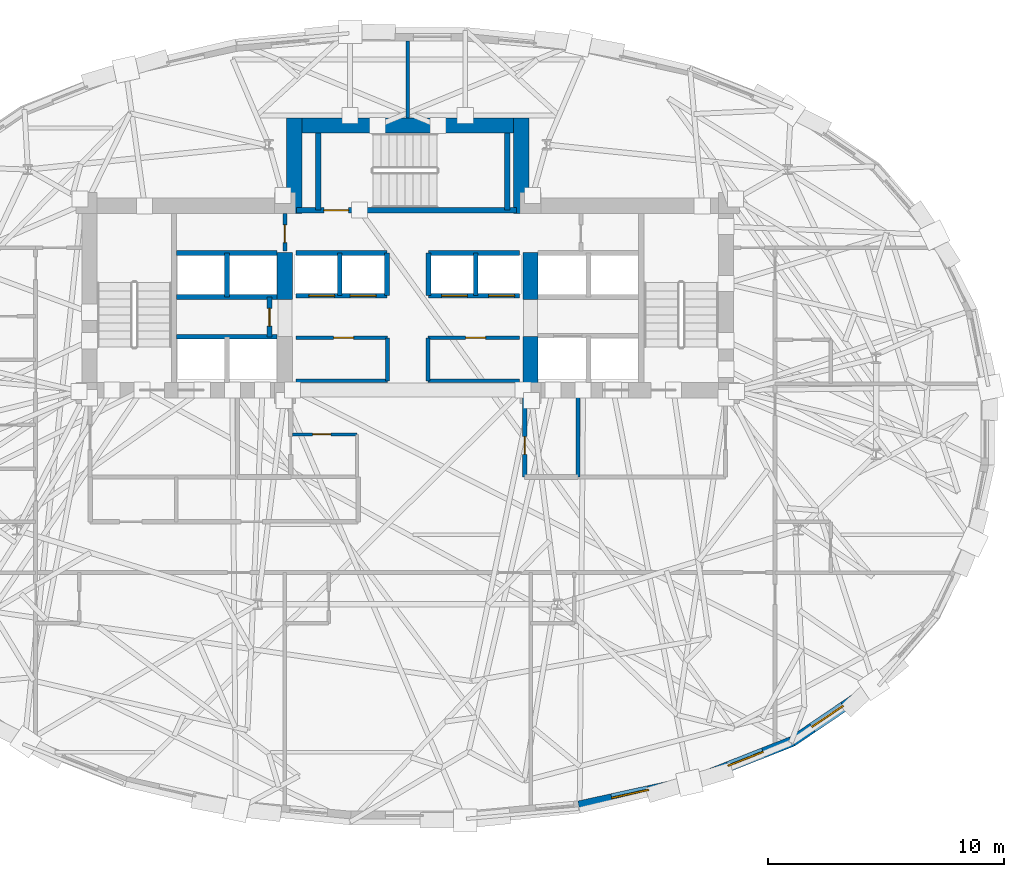
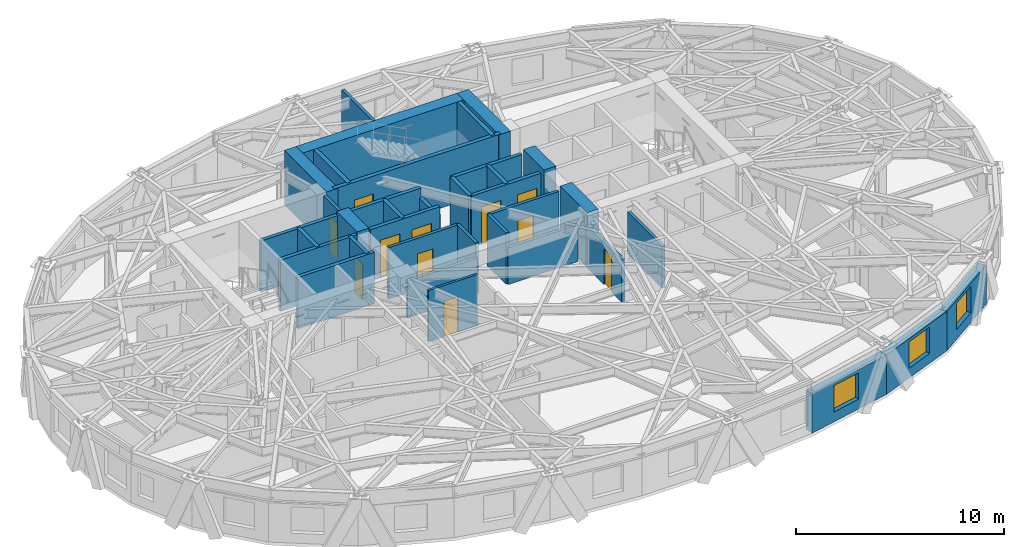
# One storey, part 8 of 14: 36 walls, 11 doors, 3 windows, 14 openings.
"""IFC4 building model written with IfcOpenShell, lengths in metres."""

from ifc_helpers import new_model, si_unit, direction, frame, frame_2d, origin, place, context, subcontext, project, spatial, rectangle, extrude, material, layer, layer_set, type_object, element, fill, save


model = new_model("IFC4")

# Units and contexts
model_context = context("Model", 3, precision=1e-05, world=origin(), true_north=direction((0.0, 1.0)))
body_context = subcontext(model_context, "Body", "Model", "MODEL_VIEW")
ifc_project = project(units=[si_unit("LENGTHUNIT", "METRE"), si_unit("AREAUNIT", "SQUARE_METRE"), si_unit("VOLUMEUNIT", "CUBIC_METRE"), si_unit("PLANEANGLEUNIT", "RADIAN"), si_unit("MASSUNIT", "GRAM", prefix="KILO")], contexts=[model_context])

# Site, building, storey
site_placement = place(None, origin())
site = spatial("IfcSite", under=ifc_project, at=site_placement, CompositionType="ELEMENT")
building_placement = place(site_placement, origin())
building = spatial("IfcBuilding", under=site, at=building_placement, Name="Keldmark Tower", CompositionType="ELEMENT")
storey_placement = place(building_placement, frame((0.0, 0.0, 153.39990234375)))
storey = spatial("IfcBuildingStorey", under=building, at=storey_placement, Name="L41", CompositionType="ELEMENT", Elevation=153.39990234375)

# Wall, opening, door
ifc_material_1 = material(Name="Acoustic Gypsum Board Interior Partition", Category="gypsum")
ifc_layer_1 = layer(ifc_material_1, 0.1298828125)
ifc_layer_set_1 = layer_set([ifc_layer_1], Name="Acoustic Gypsum Board Interior Partition")
wall_type_1 = type_object("IfcWallType", Name="Interior Partition 130 mm", PredefinedType="PARTITIONING", material=ifc_layer_set_1)
wall_1_placement = place(storey_placement, frame((-4.8798828125, -0.35009765625, 0.0), z_axis=(0.0, 0.0, 1.0), x_axis=(1.0, 0.0, 0.0)))
wall_1 = element("IfcWall", 1, at=wall_1_placement, inside=storey, type_object=wall_type_1, Name="L41 Interior Partition 130 mm CSC-W-N", PredefinedType="PARTITIONING", context=body_context, shape_type="SweptSolid", body=[
    extrude(rectangle(XDim=2.72998046875, YDim=0.1298828125, at=frame_2d((1.364990234375, 0.0))), origin(), (0.0, 0.0, 1.0), 3.02001953125),
])
opening_1_placement = place(wall_1_placement, frame((0.85009765625, 0.0, 0.0)))
opening_1 = element("IfcOpeningElement", 2, at=opening_1_placement, cuts=wall_1, Name="Opening D-CL078", PredefinedType="OPENING", context=body_context, shape_type="SweptSolid", body=[
    extrude(rectangle(XDim=0.780029296875, YDim=2.10009765625, at=frame_2d((0.39013671875, 1.050048828125))), frame((0.0, 0.074951171875, 0.0), z_axis=(0.0, -1.0, 0.0), x_axis=(1.0, 0.0, 0.0)), (0.0, 0.0, 1.0), 0.14990234375),
])
ifc_material_2 = material(Name="Flush Utility Closet Timber Door", Category="wood")
door_type_1 = type_object("IfcDoorType", Name="Closet Door 780x2100", OperationType="NOTDEFINED", PredefinedType="DOOR", material=ifc_material_2)
door_1_placement = place(opening_1_placement, origin())
door_1 = element("IfcDoor", 3, at=door_1_placement, inside=storey, type_object=door_type_1, Name="L41 Closet Door 780x2100 D-CSCW1-L41", OperationType="SINGLE_SWING_LEFT", OverallHeight=2.10009765625, OverallWidth=0.780029296875, PredefinedType="DOOR", context=body_context, shape_type="SweptSolid", body=[
    extrude(rectangle(XDim=0.780029296875, YDim=2.10009765625, at=frame_2d((0.39013671875, 1.050048828125))), frame((0.0, 0.02490234375, 0.0), z_axis=(0.0, -1.0, 0.0), x_axis=(1.0, 0.0, 0.0)), (0.0, 0.0, 1.0), 0.050048828125),
])
fill(opening_1, door_1)

# Walls
ifc_material_3 = material(Name="Type X Fire-Rated Gypsum Partition Assembly", Category="gypsum")
ifc_layer_2 = layer(ifc_material_3, 0.1650390625)
ifc_layer_set_2 = layer_set([ifc_layer_2], Name="Type X Fire-Rated Gypsum Partition Assembly")
wall_type_2 = type_object("IfcWallType", Name="Rated Partition 165 mm", PredefinedType="PARTITIONING", material=ifc_layer_set_2)
wall_2_placement = place(storey_placement, frame((7.199951171875, -2.14990234375, 0.0), z_axis=(0.0, 0.0, 1.0), x_axis=(0.0, 1.0, 0.0)))
element("IfcWall", 4, at=wall_2_placement, inside=storey, type_object=wall_type_2, Name="L41 Rated Partition 165 mm FSAE-E-W", PredefinedType="PARTITIONING", context=body_context, shape_type="SweptSolid", body=[
    extrude(rectangle(XDim=3.39990234375, YDim=0.1650390625, at=frame_2d((1.699951171875, 0.0))), origin(), (0.0, 0.0, 1.0), 2.47314453125),
])
wall_3_placement = place(storey_placement, frame((-4.739990234375, 1.919921875, 0.0), z_axis=(0.0, 0.0, 1.0), x_axis=(1.0, 0.0, 0.0)))
element("IfcWall", 5, at=wall_3_placement, inside=storey, type_object=wall_type_2, Name="L41 Rated Partition 165 mm REC-LW-S", PredefinedType="PARTITIONING", context=body_context, shape_type="SweptSolid", body=[
    extrude(rectangle(XDim=3.889892578125, YDim=0.1650390625, at=frame_2d((1.94482421875, 0.0))), origin(), (0.0, 0.0, 1.0), 2.16015625),
])

# Wall, opening, door
wall_4_placement = place(storey_placement, frame((-4.739990234375, 3.739990234375, 0.0), z_axis=(0.0, 0.0, 1.0), x_axis=(1.0, 0.0, 0.0)))
wall_4 = element("IfcWall", 6, at=wall_4_placement, inside=storey, type_object=wall_type_2, Name="L41 Rated Partition 165 mm REC-LW-N", PredefinedType="PARTITIONING", context=body_context, shape_type="SweptSolid", body=[
    extrude(rectangle(XDim=3.889892578125, YDim=0.1650390625, at=frame_2d((1.94482421875, 0.0))), origin(), (0.0, 0.0, 1.0), 3.02001953125),
])
opening_2_placement = place(wall_4_placement, frame((1.60009765625, 0.0, 0.0)))
opening_2 = element("IfcOpeningElement", 7, at=opening_2_placement, cuts=wall_4, Name="Opening D-SV085", PredefinedType="OPENING", context=body_context, shape_type="SweptSolid", body=[
    extrude(rectangle(XDim=0.85009765625, YDim=2.10009765625, at=frame_2d((0.425048828125, 1.050048828125))), frame((0.0, 0.092529296875, 0.0), z_axis=(0.0, -1.0, 0.0), x_axis=(1.0, 0.0, 0.0)), (0.0, 0.0, 1.0), 0.18505859375),
])
ifc_material_4 = material(Name="Painted Hollow Metal Door Assembly", Category="metal")
door_type_2 = type_object("IfcDoorType", Name="Service Door 850x2100", OperationType="NOTDEFINED", PredefinedType="DOOR", material=ifc_material_4)
door_2_placement = place(opening_2_placement, origin())
door_2 = element("IfcDoor", 8, at=door_2_placement, inside=storey, type_object=door_type_2, Name="L41 Service Door 850x2100 D-RECLW1-L41", OperationType="SINGLE_SWING_LEFT", OverallHeight=2.10009765625, OverallWidth=0.85009765625, PredefinedType="DOOR", context=body_context, shape_type="SweptSolid", body=[
    extrude(rectangle(XDim=0.85009765625, YDim=2.10009765625, at=frame_2d((0.425048828125, 1.050048828125))), frame((0.0, 0.02490234375, 0.0), z_axis=(0.0, -1.0, 0.0), x_axis=(1.0, 0.0, 0.0)), (0.0, 0.0, 1.0), 0.050048828125),
])
fill(opening_2, door_2)

# Walls
wall_5_placement = place(storey_placement, frame((-0.85009765625, 1.919921875, 0.0), z_axis=(0.0, 0.0, 1.0), x_axis=(0.0, 1.0, 0.0)))
element("IfcWall", 9, at=wall_5_placement, inside=storey, type_object=wall_type_2, Name="L41 Rated Partition 165 mm REC-LW-E", PredefinedType="PARTITIONING", context=body_context, shape_type="SweptSolid", body=[
    extrude(rectangle(XDim=1.820068359375, YDim=0.1650390625, at=frame_2d((0.91015625, 0.0))), origin(), (0.0, 0.0, 1.0), 3.02001953125),
])
wall_6_placement = place(storey_placement, frame((0.85009765625, 1.919921875, 0.0), z_axis=(0.0, 0.0, 1.0), x_axis=(1.0, 0.0, 0.0)))
element("IfcWall", 10, at=wall_6_placement, inside=storey, type_object=wall_type_2, Name="L41 Rated Partition 165 mm REC-LE-S", PredefinedType="PARTITIONING", context=body_context, shape_type="SweptSolid", body=[
    extrude(rectangle(XDim=3.889892578125, YDim=0.1650390625, at=frame_2d((1.94482421875, 0.0))), origin(), (0.0, 0.0, 1.0), 2.16015625),
])

# Wall, opening, door
wall_7_placement = place(storey_placement, frame((0.85009765625, 3.739990234375, 0.0), z_axis=(0.0, 0.0, 1.0), x_axis=(1.0, 0.0, 0.0)))
wall_7 = element("IfcWall", 11, at=wall_7_placement, inside=storey, type_object=wall_type_2, Name="L41 Rated Partition 165 mm REC-LE-N", PredefinedType="PARTITIONING", context=body_context, shape_type="SweptSolid", body=[
    extrude(rectangle(XDim=3.889892578125, YDim=0.1650390625, at=frame_2d((1.94482421875, 0.0))), origin(), (0.0, 0.0, 1.0), 3.02001953125),
])
opening_3_placement = place(wall_7_placement, frame((1.60009765625, 0.0, 0.0)))
opening_3 = element("IfcOpeningElement", 12, at=opening_3_placement, cuts=wall_7, Name="Opening D-SV085", PredefinedType="OPENING", context=body_context, shape_type="SweptSolid", body=[
    extrude(rectangle(XDim=0.85009765625, YDim=2.10009765625, at=frame_2d((0.425048828125, 1.050048828125))), frame((0.0, 0.092529296875, 0.0), z_axis=(0.0, -1.0, 0.0), x_axis=(1.0, 0.0, 0.0)), (0.0, 0.0, 1.0), 0.18505859375),
])
door_3_placement = place(opening_3_placement, origin())
door_3 = element("IfcDoor", 13, at=door_3_placement, inside=storey, type_object=door_type_2, Name="L41 Service Door 850x2100 D-RECLE1-L41", OperationType="SINGLE_SWING_RIGHT", OverallHeight=2.10009765625, OverallWidth=0.85009765625, PredefinedType="DOOR", context=body_context, shape_type="SweptSolid", body=[
    extrude(rectangle(XDim=0.85009765625, YDim=2.10009765625, at=frame_2d((0.425048828125, 1.050048828125))), frame((0.0, 0.02490234375, 0.0), z_axis=(0.0, -1.0, 0.0), x_axis=(1.0, 0.0, 0.0)), (0.0, 0.0, 1.0), 0.050048828125),
])
fill(opening_3, door_3)

# Wall
wall_8_placement = place(storey_placement, frame((0.85009765625, 1.919921875, 0.0), z_axis=(0.0, 0.0, 1.0), x_axis=(0.0, 1.0, 0.0)))
element("IfcWall", 14, at=wall_8_placement, inside=storey, type_object=wall_type_2, Name="L41 Rated Partition 165 mm REC-LE-W", PredefinedType="PARTITIONING", context=body_context, shape_type="SweptSolid", body=[
    extrude(rectangle(XDim=1.820068359375, YDim=0.1650390625, at=frame_2d((0.91015625, 0.0))), origin(), (0.0, 0.0, 1.0), 3.02001953125),
])

# Wall, opening, door
wall_9_placement = place(storey_placement, frame((-5.199951171875, 7.419921875, 0.0), z_axis=(0.0, 0.0, 1.0), x_axis=(0.0, 1.0, 0.0)))
wall_9 = element("IfcWall", 15, at=wall_9_placement, inside=storey, type_object=wall_type_2, Name="L41 Rated Partition 165 mm CS-NW-E", PredefinedType="PARTITIONING", context=body_context, shape_type="SweptSolid", body=[
    extrude(rectangle(XDim=1.580078125, YDim=0.1650390625, at=frame_2d((0.7900390625, 0.0))), origin(), (0.0, 0.0, 1.0), 3.02001953125),
])
opening_4_placement = place(wall_9_placement, frame((0.35009765625, 0.0, 0.0)))
opening_4 = element("IfcOpeningElement", 16, at=opening_4_placement, cuts=wall_9, Name="Opening D-RS075", PredefinedType="OPENING", context=body_context, shape_type="SweptSolid", body=[
    extrude(rectangle(XDim=0.75, YDim=2.10009765625, at=frame_2d((0.375, 1.050048828125))), frame((0.0, 0.092529296875, 0.0), z_axis=(0.0, -1.0, 0.0), x_axis=(1.0, 0.0, 0.0)), (0.0, 0.0, 1.0), 0.18505859375),
])
ifc_material_5 = material(Name="Galvanized Fire-Rated Access Leaf", Category="metal")
door_type_3 = type_object("IfcDoorType", Name="Riser Access Door 750x2100", OperationType="NOTDEFINED", PredefinedType="DOOR", material=ifc_material_5)
door_4_placement = place(opening_4_placement, origin())
door_4 = element("IfcDoor", 17, at=door_4_placement, inside=storey, type_object=door_type_3, Name="L41 Riser Access Door 750x2100 D-CSNW1-L41", OperationType="SINGLE_SWING_LEFT", OverallHeight=2.10009765625, OverallWidth=0.75, PredefinedType="DOOR", context=body_context, shape_type="SweptSolid", body=[
    extrude(rectangle(XDim=0.75, YDim=2.10009765625, at=frame_2d((0.375, 1.050048828125))), frame((0.0, 0.02490234375, 0.0), z_axis=(0.0, -1.0, 0.0), x_axis=(1.0, 0.0, 0.0)), (0.0, 0.0, 1.0), 0.050048828125),
])
fill(opening_4, door_4)

# Wall
wall_10_placement = place(storey_placement, frame((0.0, 13.050048828125, 0.0), z_axis=(0.0, 0.0, 1.0), x_axis=(0.0, 1.0, 0.0)))
element("IfcWall", 18, at=wall_10_placement, inside=storey, type_object=wall_type_2, Name="L41 Rated Partition 165 mm HN-DIV", PredefinedType="PARTITIONING", context=body_context, shape_type="SweptSolid", body=[
    extrude(rectangle(XDim=3.243896484375, YDim=0.1650390625, at=frame_2d((1.6220703125, 0.0))), origin(), (0.0, 0.0, 1.0), 3.02001953125),
])

# Wall, opening, door
ifc_material_6 = material(Name="Fire-Resistant Type X Gypsum Shaftliner Coreboard", Category="gypsum")
ifc_layer_3 = layer(ifc_material_6, 0.199951171875)
ifc_layer_set_3 = layer_set([ifc_layer_3], Name="Fire-Resistant Type X Gypsum Shaftliner Coreboard")
wall_type_3 = type_object("IfcWallType", Name="Shaft Wall 200 mm", PredefinedType="SOLIDWALL", material=ifc_layer_set_3)
wall_11_placement = place(storey_placement, frame((4.949951171875, -2.14990234375, 0.0), z_axis=(0.0, 0.0, 1.0), x_axis=(0.0, 1.0, 0.0)))
wall_11 = element("IfcWall", 19, at=wall_11_placement, inside=storey, type_object=wall_type_3, Name="L41 Shaft Wall 200 mm RIS-SE-W", PredefinedType="SOLIDWALL", context=body_context, shape_type="SweptSolid", body=[
    extrude(rectangle(XDim=3.39990234375, YDim=0.199951171875, at=frame_2d((1.699951171875, 0.0))), origin(), (0.0, 0.0, 1.0), 2.47314453125),
])
opening_5_placement = place(wall_11_placement, frame((0.949951171875, 0.0, 0.0)))
opening_5 = element("IfcOpeningElement", 20, at=opening_5_placement, cuts=wall_11, Name="Opening D-RS075", PredefinedType="OPENING", context=body_context, shape_type="SweptSolid", body=[
    extrude(rectangle(XDim=0.75, YDim=2.10009765625, at=frame_2d((0.375, 1.050048828125))), frame((0.0, 0.10986328125, 0.0), z_axis=(0.0, -1.0, 0.0), x_axis=(1.0, 0.0, 0.0)), (0.0, 0.0, 1.0), 0.219970703125),
])
door_5_placement = place(opening_5_placement, origin())
door_5 = element("IfcDoor", 21, at=door_5_placement, inside=storey, type_object=door_type_3, Name="L41 Riser Access Door 750x2100 D-RISSE-L41", OperationType="SINGLE_SWING_LEFT", OverallHeight=2.10009765625, OverallWidth=0.75, PredefinedType="DOOR", context=body_context, shape_type="SweptSolid", body=[
    extrude(rectangle(XDim=0.75, YDim=2.10009765625, at=frame_2d((0.375, 1.050048828125))), frame((0.0, 0.02490234375, 0.0), z_axis=(0.0, -1.0, 0.0), x_axis=(1.0, 0.0, 0.0)), (0.0, 0.0, 1.0), 0.050048828125),
])
fill(opening_5, door_5)

# Walls
for number, where, z_axis, x_axis, name in (
    (22, (-9.780029296875, 3.780029296875, 0.0), (0.0, 0.0, 1.0), (1.0, 0.0, 0.0), "L41 Shaft Wall 200 mm HW-W-S"),
    (23, (-9.780029296875, 5.469970703125, 0.0), (0.0, 0.0, 1.0), (1.0, 0.0, 0.0), "L41 Shaft Wall 200 mm HW-W-N"),
    (24, (-9.780029296875, 7.330078125, 0.0), (0.0, 0.0, 1.0), (1.0, 0.0, 0.0), "L41 Shaft Wall 200 mm HW-W-TOP"),
):
    element("IfcWall", number, at=place(storey_placement, frame(where, z_axis=z_axis, x_axis=x_axis)), inside=storey, type_object=wall_type_3, Name=name, PredefinedType="SOLIDWALL", context=body_context, shape_type="SweptSolid", body=[
        extrude(rectangle(XDim=4.255126953125, YDim=0.199951171875, at=frame_2d((2.12744140625, 0.0))), origin(), (0.0, 0.0, 1.0), 3.02001953125),
    ])
wall_12_placement = place(storey_placement, frame((-7.64990234375, 5.469970703125, 0.0), z_axis=(0.0, 0.0, 1.0), x_axis=(0.0, 1.0, 0.0)))
element("IfcWall", 25, at=wall_12_placement, inside=storey, type_object=wall_type_3, Name="L41 Shaft Wall 200 mm HW-W-NM", PredefinedType="SOLIDWALL", context=body_context, shape_type="SweptSolid", body=[
    extrude(rectangle(XDim=1.860107421875, YDim=0.199951171875, at=frame_2d((0.93017578125, 0.0))), origin(), (0.0, 0.0, 1.0), 3.02001953125),
])

# Wall, opening, door
wall_13_placement = place(storey_placement, frame((-5.85009765625, 3.780029296875, 0.0), z_axis=(0.0, 0.0, 1.0), x_axis=(0.0, 1.0, 0.0)))
wall_13 = element("IfcWall", 26, at=wall_13_placement, inside=storey, type_object=wall_type_3, Name="L41 Shaft Wall 200 mm HW-W-CLOSE", PredefinedType="SOLIDWALL", context=body_context, shape_type="SweptSolid", body=[
    extrude(rectangle(XDim=1.68994140625, YDim=0.199951171875, at=frame_2d((0.844970703125, 0.0))), origin(), (0.0, 0.0, 1.0), 3.02001953125),
])
opening_6_placement = place(wall_13_placement, frame((0.449951171875, 0.0, 0.0)))
opening_6 = element("IfcOpeningElement", 27, at=opening_6_placement, cuts=wall_13, Name="Opening D-RS075", PredefinedType="OPENING", context=body_context, shape_type="SweptSolid", body=[
    extrude(rectangle(XDim=0.75, YDim=2.10009765625, at=frame_2d((0.375, 1.050048828125))), frame((0.0, 0.10986328125, 0.0), z_axis=(0.0, -1.0, 0.0), x_axis=(1.0, 0.0, 0.0)), (0.0, 0.0, 1.0), 0.219970703125),
])
door_6_placement = place(opening_6_placement, origin())
door_6 = element("IfcDoor", 28, at=door_6_placement, inside=storey, type_object=door_type_3, Name="L41 Riser Access Door 750x2100 D-RISHW-L41", OperationType="SINGLE_SWING_RIGHT", OverallHeight=2.10009765625, OverallWidth=0.75, PredefinedType="DOOR", context=body_context, shape_type="SweptSolid", body=[
    extrude(rectangle(XDim=0.75, YDim=2.10009765625, at=frame_2d((0.375, 1.050048828125))), frame((0.0, 0.02490234375, 0.0), z_axis=(0.0, -1.0, 0.0), x_axis=(1.0, 0.0, 0.0)), (0.0, 0.0, 1.0), 0.050048828125),
])
fill(opening_6, door_6)

# Wall, openings, doors
wall_14_placement = place(storey_placement, frame((-4.739990234375, 5.52001953125, 0.0), z_axis=(0.0, 0.0, 1.0), x_axis=(1.0, 0.0, 0.0)))
wall_14 = element("IfcWall", 29, at=wall_14_placement, inside=storey, type_object=wall_type_3, Name="L41 Shaft Wall 200 mm MID-S-W", PredefinedType="SOLIDWALL", context=body_context, shape_type="SweptSolid", body=[
    extrude(rectangle(XDim=3.860107421875, YDim=0.199951171875, at=frame_2d((1.93017578125, 0.0))), origin(), (0.0, 0.0, 1.0), 3.02001953125),
])
opening_7_placement = place(wall_14_placement, frame((0.550048828125, 0.0, 0.0)))
opening_7 = element("IfcOpeningElement", 30, at=opening_7_placement, cuts=wall_14, Name="Opening LD-110", PredefinedType="OPENING", context=body_context, shape_type="SweptSolid", body=[
    extrude(rectangle(XDim=1.10009765625, YDim=2.199951171875, at=frame_2d((0.550048828125, 1.10009765625))), frame((0.0, 0.10986328125, 0.0), z_axis=(0.0, -1.0, 0.0), x_axis=(1.0, 0.0, 0.0)), (0.0, 0.0, 1.0), 0.219970703125),
])
opening_8_placement = place(wall_14_placement, frame((2.300048828125, 0.0, 0.0)))
opening_8 = element("IfcOpeningElement", 31, at=opening_8_placement, cuts=wall_14, Name="Opening LD-110", PredefinedType="OPENING", context=body_context, shape_type="SweptSolid", body=[
    extrude(rectangle(XDim=1.10009765625, YDim=2.199951171875, at=frame_2d((0.550048828125, 1.10009765625))), frame((0.0, 0.10986328125, 0.0), z_axis=(0.0, -1.0, 0.0), x_axis=(1.0, 0.0, 0.0)), (0.0, 0.0, 1.0), 0.219970703125),
])
ifc_material_7 = material(Name="Brushed Bronze Hoistway Sliding Leaf", Category="metal")
door_type_4 = type_object("IfcDoorType", Name="Lift Landing Sliding Door 1100x2200", OperationType="SLIDING_TO_LEFT", PredefinedType="DOOR", material=ifc_material_7)
door_7_placement = place(opening_7_placement, origin())
door_7 = element("IfcDoor", 32, at=door_7_placement, inside=storey, type_object=door_type_4, Name="L41 Lift Landing Sliding Door 1100x2200 LD-EL-M1-L41", OperationType="SLIDING_TO_LEFT", OverallHeight=2.199951171875, OverallWidth=1.10009765625, PredefinedType="DOOR", context=body_context, shape_type="SweptSolid", body=[
    extrude(rectangle(XDim=1.10009765625, YDim=2.199951171875, at=frame_2d((0.550048828125, 1.10009765625))), frame((0.0, 0.02490234375, 0.0), z_axis=(0.0, -1.0, 0.0), x_axis=(1.0, 0.0, 0.0)), (0.0, 0.0, 1.0), 0.050048828125),
])
fill(opening_7, door_7)
door_8_placement = place(opening_8_placement, origin())
door_8 = element("IfcDoor", 33, at=door_8_placement, inside=storey, type_object=door_type_4, Name="L41 Lift Landing Sliding Door 1100x2200 LD-EL-M2-L41", OperationType="SLIDING_TO_LEFT", OverallHeight=2.199951171875, OverallWidth=1.10009765625, PredefinedType="DOOR", context=body_context, shape_type="SweptSolid", body=[
    extrude(rectangle(XDim=1.10009765625, YDim=2.199951171875, at=frame_2d((0.550048828125, 1.10009765625))), frame((0.0, 0.02490234375, 0.0), z_axis=(0.0, -1.0, 0.0), x_axis=(1.0, 0.0, 0.0)), (0.0, 0.0, 1.0), 0.050048828125),
])
fill(opening_8, door_8)

wall_15_placement = place(storey_placement, frame((0.8798828125, 5.52001953125, 0.0), z_axis=(0.0, 0.0, 1.0), x_axis=(1.0, 0.0, 0.0)))
wall_15 = element("IfcWall", 34, at=wall_15_placement, inside=storey, type_object=wall_type_3, Name="L41 Shaft Wall 200 mm MID-S-E", PredefinedType="SOLIDWALL", context=body_context, shape_type="SweptSolid", body=[
    extrude(rectangle(XDim=3.860107421875, YDim=0.199951171875, at=frame_2d((1.93017578125, 0.0))), origin(), (0.0, 0.0, 1.0), 3.02001953125),
])
opening_9_placement = place(wall_15_placement, frame((0.550048828125, 0.0, 0.0)))
opening_9 = element("IfcOpeningElement", 35, at=opening_9_placement, cuts=wall_15, Name="Opening LD-110", PredefinedType="OPENING", context=body_context, shape_type="SweptSolid", body=[
    extrude(rectangle(XDim=1.10009765625, YDim=2.199951171875, at=frame_2d((0.550048828125, 1.10009765625))), frame((0.0, 0.10986328125, 0.0), z_axis=(0.0, -1.0, 0.0), x_axis=(1.0, 0.0, 0.0)), (0.0, 0.0, 1.0), 0.219970703125),
])
opening_10_placement = place(wall_15_placement, frame((2.550048828125, 0.0, 0.0)))
opening_10 = element("IfcOpeningElement", 36, at=opening_10_placement, cuts=wall_15, Name="Opening LD-110", PredefinedType="OPENING", context=body_context, shape_type="SweptSolid", body=[
    extrude(rectangle(XDim=1.10009765625, YDim=2.199951171875, at=frame_2d((0.550048828125, 1.10009765625))), frame((0.0, 0.10986328125, 0.0), z_axis=(0.0, -1.0, 0.0), x_axis=(1.0, 0.0, 0.0)), (0.0, 0.0, 1.0), 0.219970703125),
])
door_9_placement = place(opening_9_placement, origin())
door_9 = element("IfcDoor", 37, at=door_9_placement, inside=storey, type_object=door_type_4, Name="L41 Lift Landing Sliding Door 1100x2200 LD-EL-M3-L41", OperationType="SLIDING_TO_LEFT", OverallHeight=2.199951171875, OverallWidth=1.10009765625, PredefinedType="DOOR", context=body_context, shape_type="SweptSolid", body=[
    extrude(rectangle(XDim=1.10009765625, YDim=2.199951171875, at=frame_2d((0.550048828125, 1.10009765625))), frame((0.0, 0.02490234375, 0.0), z_axis=(0.0, -1.0, 0.0), x_axis=(1.0, 0.0, 0.0)), (0.0, 0.0, 1.0), 0.050048828125),
])
fill(opening_9, door_9)
door_10_placement = place(opening_10_placement, origin())
door_10 = element("IfcDoor", 38, at=door_10_placement, inside=storey, type_object=door_type_4, Name="L41 Lift Landing Sliding Door 1100x2200 LD-EL-M4-L41", OperationType="SLIDING_TO_LEFT", OverallHeight=2.199951171875, OverallWidth=1.10009765625, PredefinedType="DOOR", context=body_context, shape_type="SweptSolid", body=[
    extrude(rectangle(XDim=1.10009765625, YDim=2.199951171875, at=frame_2d((0.550048828125, 1.10009765625))), frame((0.0, 0.02490234375, 0.0), z_axis=(0.0, -1.0, 0.0), x_axis=(1.0, 0.0, 0.0)), (0.0, 0.0, 1.0), 0.050048828125),
])
fill(opening_10, door_10)

# Walls
for number, where, z_axis, x_axis, name in (
    (39, (-4.739990234375, 7.330078125, 0.0), (0.0, 0.0, 1.0), (1.0, 0.0, 0.0), "L41 Shaft Wall 200 mm MID-N-W"),
    (40, (0.8798828125, 7.330078125, 0.0), (0.0, 0.0, 1.0), (1.0, 0.0, 0.0), "L41 Shaft Wall 200 mm MID-N-E"),
):
    element("IfcWall", number, at=place(storey_placement, frame(where, z_axis=z_axis, x_axis=x_axis)), inside=storey, type_object=wall_type_3, Name=name, PredefinedType="SOLIDWALL", context=body_context, shape_type="SweptSolid", body=[
        extrude(rectangle(XDim=3.860107421875, YDim=0.199951171875, at=frame_2d((1.93017578125, 0.0))), origin(), (0.0, 0.0, 1.0), 3.02001953125),
    ])
for number, where, z_axis, x_axis, name in (
    (41, (-2.8798828125, 5.52001953125, 0.0), (0.0, 0.0, 1.0), (0.0, 1.0, 0.0), "L41 Shaft Wall 200 mm MID-M-W"),
    (42, (2.8798828125, 5.52001953125, 0.0), (0.0, 0.0, 1.0), (0.0, 1.0, 0.0), "L41 Shaft Wall 200 mm MID-M-E"),
):
    element("IfcWall", number, at=place(storey_placement, frame(where, z_axis=z_axis, x_axis=x_axis)), inside=storey, type_object=wall_type_3, Name=name, PredefinedType="SOLIDWALL", context=body_context, shape_type="SweptSolid", body=[
        extrude(rectangle(XDim=1.81005859375, YDim=0.199951171875, at=frame_2d((0.905029296875, 0.0))), origin(), (0.0, 0.0, 1.0), 3.02001953125),
    ])
wall_16_placement = place(storey_placement, frame((-0.8798828125, 5.52001953125, 0.0), z_axis=(0.0, 0.0, 1.0), x_axis=(0.0, 1.0, 0.0)))
element("IfcWall", 43, at=wall_16_placement, inside=storey, type_object=wall_type_3, Name="L41 Shaft Wall 200 mm MID-C-W", PredefinedType="SOLIDWALL", context=body_context, shape_type="SweptSolid", body=[
    extrude(rectangle(XDim=1.81005859375, YDim=0.199951171875, at=frame_2d((0.905029296875, 0.0))), origin(), (0.0, 0.0, 1.0), 2.47314453125),
])
wall_17_placement = place(storey_placement, frame((0.8798828125, 5.52001953125, 0.0), z_axis=(0.0, 0.0, 1.0), x_axis=(0.0, 1.0, 0.0)))
element("IfcWall", 44, at=wall_17_placement, inside=storey, type_object=wall_type_3, Name="L41 Shaft Wall 200 mm MID-C-E", PredefinedType="SOLIDWALL", context=body_context, shape_type="SweptSolid", body=[
    extrude(rectangle(XDim=1.81005859375, YDim=0.199951171875, at=frame_2d((0.905029296875, 0.0))), origin(), (0.0, 0.0, 1.0), 3.02001953125),
])

# Wall, opening, door
ifc_material_8 = material(Name="Concrete C50/60", Category="concrete")
ifc_layer_4 = layer(ifc_material_8, 0.219970703125)
ifc_layer_set_4 = layer_set([ifc_layer_4], Name="Concrete C50/60")
wall_type_4 = type_object("IfcWallType", Name="Stair Core Shear Wall 220 mm", PredefinedType="SHEAR", material=ifc_layer_set_4)
wall_18_placement = place(storey_placement, frame((-4.699951171875, 9.139892578125, 0.0), z_axis=(0.0, 0.0, 1.0), x_axis=(1.0, 0.0, 0.0)))
wall_18 = element("IfcWall", 45, at=wall_18_placement, inside=storey, type_object=wall_type_4, Name="L41 Central Stair Core South Shear Wall", PredefinedType="SHEAR", context=body_context, shape_type="SweptSolid", body=[
    extrude(rectangle(XDim=9.300048828125, YDim=0.219970703125, at=frame_2d((4.64990234375, 0.0))), origin(), (0.0, 0.0, 1.0), 3.2001953125),
])
opening_11_placement = place(wall_18_placement, frame((1.14990234375, 0.0, 0.0)))
opening_11 = element("IfcOpeningElement", 46, at=opening_11_placement, cuts=wall_18, Name="Opening D-ST105", PredefinedType="OPENING", context=body_context, shape_type="SweptSolid", body=[
    extrude(rectangle(XDim=1.050048828125, YDim=2.14990234375, at=frame_2d((0.52490234375, 1.074951171875))), frame((0.0, 0.119873046875, 0.0), z_axis=(0.0, -1.0, 0.0), x_axis=(1.0, 0.0, 0.0)), (0.0, 0.0, 1.0), 0.239990234375),
])
ifc_material_9 = material(Name="Hollow Metal Fire-Rated Door Assembly", Category="metal")
door_type_5 = type_object("IfcDoorType", Name="Stair Fire Door 1050x2150", OperationType="NOTDEFINED", PredefinedType="DOOR", material=ifc_material_9)
door_11_placement = place(opening_11_placement, origin())
door_11 = element("IfcDoor", 47, at=door_11_placement, inside=storey, type_object=door_type_5, Name="L41 Stair Fire Door 1050x2150 D-ST3-L41", OperationType="SINGLE_SWING_RIGHT", OverallHeight=2.14990234375, OverallWidth=1.050048828125, PredefinedType="DOOR", context=body_context, shape_type="SweptSolid", body=[
    extrude(rectangle(XDim=1.050048828125, YDim=2.14990234375, at=frame_2d((0.52490234375, 1.074951171875))), frame((0.0, 0.02490234375, 0.0), z_axis=(0.0, -1.0, 0.0), x_axis=(1.0, 0.0, 0.0)), (0.0, 0.0, 1.0), 0.050048828125),
])
fill(opening_11, door_11)

# Walls
for number, where, z_axis, x_axis, name in (
    (48, (-3.784912109375, 9.139892578125, 0.0), (0.0, 0.0, 1.0), (0.0, 1.0, 0.0), "L41 Central Stair Core West Shear Wall"),
    (49, (4.215087890625, 9.139892578125, 0.0), (0.0, 0.0, 1.0), (0.0, 1.0, 0.0), "L41 Central Stair Core East Shear Wall"),
):
    element("IfcWall", number, at=place(storey_placement, frame(where, z_axis=z_axis, x_axis=x_axis)), inside=storey, type_object=wall_type_4, Name=name, PredefinedType="SHEAR", context=body_context, shape_type="SweptSolid", body=[
        extrude(rectangle(XDim=3.260009765625, YDim=0.219970703125, at=frame_2d((1.6298828125, 0.0))), origin(), (0.0, 0.0, 1.0), 3.2001953125),
    ])

# Wall, opening, window
ifc_material_10 = material(Name="Ironspot Manganese Brick and Kasota Buff Limestone Spandrel Assembly", Category="masonry")
ifc_layer_5 = layer(ifc_material_10, 0.43994140625)
ifc_layer_set_5 = layer_set([ifc_layer_5], Name="Ironspot Manganese Brick and Kasota Buff Limestone Spandrel Assembly")
wall_type_5 = type_object("IfcWallType", Name="Tower Brick Pier and Spandrel Wall 440 mm", PredefinedType="STANDARD", material=ifc_layer_set_5)
wall_19_placement = place(storey_placement, frame((11.987060546875, -15.046142578125, 0.0), z_axis=(0.0, 0.0, 1.0), x_axis=(-0.976767211892, -0.214303088576, 0.0)))
wall_19 = element("IfcWall", 50, at=wall_19_placement, inside=storey, type_object=wall_type_5, Name="L41 Exterior Brick and Spandrel Wall 26", PredefinedType="STANDARD", context=body_context, shape_type="SweptSolid", body=[
    extrude(rectangle(XDim=4.85205078125, YDim=0.43994140625, at=frame_2d((2.426025390625, 0.0))), origin(), (0.0, 0.0, 1.0), 2.315185546875),
])
opening_12_placement = place(wall_19_placement, frame((1.822509765625, 0.0, 0.580078125)))
opening_12 = element("IfcOpeningElement", 51, at=opening_12_placement, cuts=wall_19, Name="Opening W-04", PredefinedType="OPENING", context=body_context, shape_type="SweptSolid", body=[
    extrude(rectangle(XDim=1.60009765625, YDim=1.550048828125, at=frame_2d((0.800048828125, 0.77490234375))), frame((0.0, 0.22998046875, 0.0), z_axis=(0.0, -1.0, 0.0), x_axis=(1.0, 0.0, 0.0)), (0.0, 0.0, 1.0), 0.4599609375),
])
ifc_material_11 = material(Name="Thermally Broken Anodized Aluminum and Triple Low-E Argon Glazing", Category="aluminium")
window_type = type_object("IfcWindowType", Name="Hotel Deep-Set Operable Window 1600x1550", PartitioningType="DOUBLE_PANEL_HORIZONTAL", PredefinedType="WINDOW", material=ifc_material_11)
window_1_placement = place(opening_12_placement, origin())
window_1 = element("IfcWindow", 52, at=window_1_placement, inside=storey, type_object=window_type, Name="L41 Deep-Set Window 26", OverallHeight=1.550048828125, OverallWidth=1.60009765625, PartitioningType="SINGLE_PANEL", PredefinedType="WINDOW", context=body_context, shape_type="SweptSolid", body=[
    extrude(rectangle(XDim=1.60009765625, YDim=1.550048828125, at=frame_2d((0.800048828125, 0.77490234375))), frame((0.0, -0.010009765625, 0.0), z_axis=(0.0, -1.0, 0.0), x_axis=(1.0, 0.0, 0.0)), (0.0, 0.0, 1.0), 0.06005859375),
])
fill(opening_12, window_1)

wall_20_placement = place(storey_placement, frame((16.312255859375, -13.33544921875, 0.0), z_axis=(0.0, 0.0, 1.0), x_axis=(-0.930130872211, -0.367228213186, 0.0)))
wall_20 = element("IfcWall", 53, at=wall_20_placement, inside=storey, type_object=wall_type_5, Name="L41 Exterior Brick and Spandrel Wall 27", PredefinedType="STANDARD", context=body_context, shape_type="SweptSolid", body=[
    extrude(rectangle(XDim=4.686279296875, YDim=0.43994140625, at=frame_2d((2.34326171875, 0.0))), origin(), (0.0, 0.0, 1.0), 2.315185546875),
])
opening_13_placement = place(wall_20_placement, frame((1.34423828125, 0.0, 0.580078125)))
opening_13 = element("IfcOpeningElement", 54, at=opening_13_placement, cuts=wall_20, Name="Opening W-04", PredefinedType="OPENING", context=body_context, shape_type="SweptSolid", body=[
    extrude(rectangle(XDim=1.60009765625, YDim=1.550048828125, at=frame_2d((0.800048828125, 0.77490234375))), frame((0.0, 0.22998046875, 0.0), z_axis=(0.0, -1.0, 0.0), x_axis=(1.0, 0.0, 0.0)), (0.0, 0.0, 1.0), 0.4599609375),
])
window_2_placement = place(opening_13_placement, origin())
window_2 = element("IfcWindow", 55, at=window_2_placement, inside=storey, type_object=window_type, Name="L41 Deep-Set Window 27", OverallHeight=1.550048828125, OverallWidth=1.60009765625, PartitioningType="SINGLE_PANEL", PredefinedType="WINDOW", context=body_context, shape_type="SweptSolid", body=[
    extrude(rectangle(XDim=1.60009765625, YDim=1.550048828125, at=frame_2d((0.800048828125, 0.77490234375))), frame((0.0, -0.010009765625, 0.0), z_axis=(0.0, -1.0, 0.0), x_axis=(1.0, 0.0, 0.0)), (0.0, 0.0, 1.0), 0.06005859375),
])
fill(opening_13, window_2)

wall_21_placement = place(storey_placement, frame((19.8515625, -10.929931640625, 0.0), z_axis=(0.0, 0.0, 1.0), x_axis=(-0.827746250701, -0.561102614902, 0.0)))
wall_21 = element("IfcWall", 56, at=wall_21_placement, inside=storey, type_object=wall_type_5, Name="L41 Exterior Brick and Spandrel Wall 28", PredefinedType="STANDARD", context=body_context, shape_type="SweptSolid", body=[
    extrude(rectangle(XDim=4.3271484375, YDim=0.43994140625, at=frame_2d((2.16357421875, 0.0))), origin(), (0.0, 0.0, 1.0), 2.315185546875),
])
opening_14_placement = place(wall_21_placement, frame((1.685546875, 0.0, 0.580078125)))
opening_14 = element("IfcOpeningElement", 57, at=opening_14_placement, cuts=wall_21, Name="Opening W-04", PredefinedType="OPENING", context=body_context, shape_type="SweptSolid", body=[
    extrude(rectangle(XDim=1.60009765625, YDim=1.550048828125, at=frame_2d((0.800048828125, 0.77490234375))), frame((0.0, 0.22998046875, 0.0), z_axis=(0.0, -1.0, 0.0), x_axis=(1.0, 0.0, 0.0)), (0.0, 0.0, 1.0), 0.4599609375),
])
window_3_placement = place(opening_14_placement, origin())
window_3 = element("IfcWindow", 58, at=window_3_placement, inside=storey, type_object=window_type, Name="L41 Deep-Set Window 28", OverallHeight=1.550048828125, OverallWidth=1.60009765625, PartitioningType="SINGLE_PANEL", PredefinedType="WINDOW", context=body_context, shape_type="SweptSolid", body=[
    extrude(rectangle(XDim=1.60009765625, YDim=1.550048828125, at=frame_2d((0.800048828125, 0.77490234375))), frame((0.0, -0.010009765625, 0.0), z_axis=(0.0, -1.0, 0.0), x_axis=(1.0, 0.0, 0.0)), (0.0, 0.0, 1.0), 0.06005859375),
])
fill(opening_14, window_3)

# Walls
ifc_material_12 = material(Name="Concrete C50/60", Category="concrete")
ifc_layer_6 = layer(ifc_material_12, 0.64990234375)
ifc_layer_set_6 = layer_set([ifc_layer_6], Name="Concrete C50/60")
wall_type_6 = type_object("IfcWallType", Name="Upper-Mid Core Shear Wall 650 mm", PredefinedType="SHEAR", material=ifc_layer_set_6)
wall_22_placement = place(storey_placement, frame((-5.199951171875, 5.35009765625, 0.0), z_axis=(0.0, 0.0, 1.0), x_axis=(0.0, 1.0, 0.0)))
element("IfcWall", 59, at=wall_22_placement, inside=storey, type_object=wall_type_6, Name="L41 West Core Inner Shear Pier North", PredefinedType="SHEAR", context=body_context, shape_type="SweptSolid", body=[
    extrude(rectangle(XDim=2.0, YDim=0.64990234375, at=frame_2d((1.0, 0.0))), origin(), (0.0, 0.0, 1.0), 3.2001953125),
])
wall_23_placement = place(storey_placement, frame((5.199951171875, 1.199951171875, 0.0), z_axis=(0.0, 0.0, 1.0), x_axis=(0.0, 1.0, 0.0)))
element("IfcWall", 60, at=wall_23_placement, inside=storey, type_object=wall_type_6, Name="L41 East Core Inner Shear Pier South", PredefinedType="SHEAR", context=body_context, shape_type="SweptSolid", body=[
    extrude(rectangle(XDim=2.60009765625, YDim=0.64990234375, at=frame_2d((1.300048828125, 0.0))), origin(), (0.0, 0.0, 1.0), 3.2001953125),
])
wall_24_placement = place(storey_placement, frame((5.199951171875, 5.35009765625, 0.0), z_axis=(0.0, 0.0, 1.0), x_axis=(0.0, 1.0, 0.0)))
element("IfcWall", 61, at=wall_24_placement, inside=storey, type_object=wall_type_6, Name="L41 East Core Inner Shear Pier North", PredefinedType="SHEAR", context=body_context, shape_type="SweptSolid", body=[
    extrude(rectangle(XDim=2.0, YDim=0.64990234375, at=frame_2d((1.0, 0.0))), origin(), (0.0, 0.0, 1.0), 3.2001953125),
])
wall_25_placement = place(storey_placement, frame((-5.125, 12.72509765625, 0.0), z_axis=(0.0, 0.0, 1.0), x_axis=(1.0, 0.0, 0.0)))
element("IfcWall", 62, at=wall_25_placement, inside=storey, type_object=wall_type_6, Name="L41 North Core Shear Wall", PredefinedType="SHEAR", context=body_context, shape_type="SweptSolid", body=[
    extrude(rectangle(XDim=10.25, YDim=0.64990234375, at=frame_2d((5.125, 0.0))), origin(), (0.0, 0.0, 1.0), 3.2001953125),
])
for number, where, z_axis, x_axis, name in (
    (63, (-4.800048828125, 9.0, 0.0), (0.0, 0.0, 1.0), (0.0, 1.0, 0.0), "L41 North Core West Shear Wall"),
    (64, (4.800048828125, 9.0, 0.0), (0.0, 0.0, 1.0), (0.0, 1.0, 0.0), "L41 North Core East Shear Wall"),
):
    element("IfcWall", number, at=place(storey_placement, frame(where, z_axis=z_axis, x_axis=x_axis)), inside=storey, type_object=wall_type_6, Name=name, PredefinedType="SHEAR", context=body_context, shape_type="SweptSolid", body=[
        extrude(rectangle(XDim=4.050048828125, YDim=0.64990234375, at=frame_2d((2.02490234375, 0.0))), origin(), (0.0, 0.0, 1.0), 3.2001953125),
    ])

save(model, "model.ifc")
